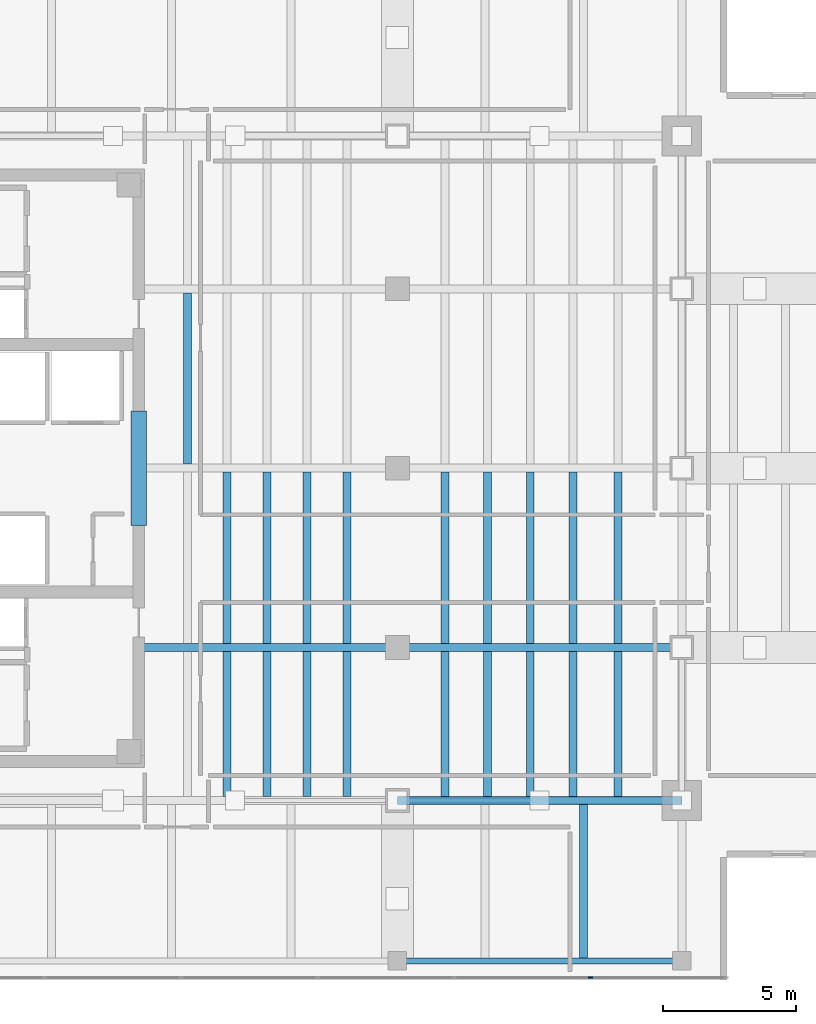
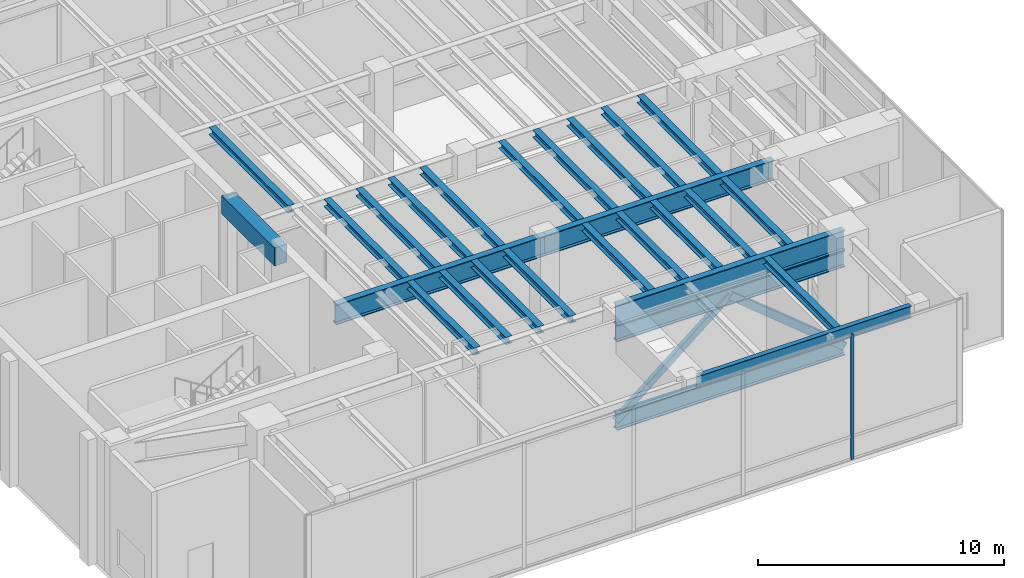
# One storey, part 3 of 11: 25 beams, 5 members, 1 element without a shape of its own.
"""IFC4 building model written with IfcOpenShell, lengths in metres."""

from ifc_helpers import new_model, si_unit, direction, frame, origin, origin_2d, place, context, subcontext, project, spatial, rectangle, hollow_rectangle, i_section, extrude, material, layer, layer_set, material_profile, profile_set, type_object, element, aggregate, save


model = new_model("IFC4")

# Units and contexts
model_context = context("Model", 3, precision=1e-05, world=origin(), true_north=direction((0.0, 1.0)))
body_context = subcontext(model_context, "Body", "Model", "MODEL_VIEW")
ifc_project = project(units=[si_unit("LENGTHUNIT", "METRE"), si_unit("AREAUNIT", "SQUARE_METRE"), si_unit("VOLUMEUNIT", "CUBIC_METRE"), si_unit("PLANEANGLEUNIT", "RADIAN"), si_unit("MASSUNIT", "GRAM", prefix="KILO")], contexts=[model_context])

# Site, building, storey
site_placement = place(None, origin())
site = spatial("IfcSite", under=ifc_project, at=site_placement, CompositionType="ELEMENT")
building_placement = place(site_placement, origin())
building = spatial("IfcBuilding", under=site, at=building_placement, Name="Kinhvarn Gate Tower", CompositionType="ELEMENT")
storey_placement = place(building_placement, frame((0.0, 0.0, 296.64990234375)))
storey = spatial("IfcBuildingStorey", under=building, at=storey_placement, Name="L79", CompositionType="ELEMENT", Elevation=296.64990234375)

# Beams
ifc_material_1 = material(Name="Concrete C60/75", Category="concrete")
ifc_material_profile_1 = material_profile(ifc_material_1, rectangle(XDim=0.60009765625, YDim=0.89990234375, at=origin_2d()), Name="RC 600x900")
ifc_profile_set_1 = profile_set([ifc_material_profile_1], Name="Concrete C60/75")
beam_type_1 = type_object("IfcBeamType", Name="BM-CB-900", PredefinedType="LINTEL", material=ifc_profile_set_1)
beam_1_placement = place(storey_placement, frame((17.77490234375, 23.10009765625, 5.75), z_axis=(0.0, 1.0, 0.0), x_axis=(-1.0, 0.0, 0.0)))
element("IfcBeam", 1, at=beam_1_placement, inside=storey, type_object=beam_type_1, Name="Core East Portal Coupling Beam L79", PredefinedType="LINTEL", context=body_context, shape_type="SweptSolid", body=[
    extrude(rectangle(XDim=0.60009765625, YDim=0.89990234375, at=origin_2d()), origin(), (0.0, 0.0, 1.0), 4.2998046875),
])
ifc_material_2 = material(Name="Steel S355", Category="steel")
ifc_material_profile_2 = material_profile(ifc_material_2, i_section(OverallWidth=0.300048828125, OverallDepth=1.0, WebThickness=0.01904296875, FlangeThickness=0.035888671875, at=origin_2d()), Name="HEB 1000")
ifc_profile_set_2 = profile_set([ifc_material_profile_2], Name="Steel S355")
beam_type_2 = type_object("IfcBeamType", Name="BM-HEB1000", PredefinedType="BEAM", material=ifc_profile_set_2)
beam_2_placement = place(storey_placement, frame((27.5, 12.75, 5.7001953125), z_axis=(1.0, 0.0, 0.0), x_axis=(0.0, 1.0, 0.0)))
element("IfcBeam", 2, at=beam_2_placement, inside=storey, type_object=beam_type_2, Name="Floor Beam HG-21 (L79 MG-S2)", PredefinedType="BEAM", context=body_context, shape_type="SweptSolid", body=[
    extrude(i_section(OverallWidth=0.300048828125, OverallDepth=1.0, WebThickness=0.01904296875, FlangeThickness=0.035888671875, at=origin_2d()), origin(), (0.0, 0.0, 1.0), 10.699951171875),
])
beam_3_placement = place(storey_placement, frame((17.64990234375, 18.5, 5.7001953125), z_axis=(1.0, 0.0, 0.0), x_axis=(0.0, 1.0, 0.0)))
element("IfcBeam", 3, at=beam_3_placement, inside=storey, type_object=beam_type_2, Name="Floor Beam HG-21 (L79 EW1A-Y18)", PredefinedType="BEAM", context=body_context, shape_type="SweptSolid", body=[
    extrude(i_section(OverallWidth=0.300048828125, OverallDepth=1.0, WebThickness=0.01904296875, FlangeThickness=0.035888671875, at=origin_2d()), origin(), (0.0, 0.0, 1.0), 9.85009765625),
])
beam_4_placement = place(storey_placement, frame((27.5, 18.5, 5.7001953125), z_axis=(1.0, 0.0, 0.0), x_axis=(0.0, 1.0, 0.0)))
element("IfcBeam", 4, at=beam_4_placement, inside=storey, type_object=beam_type_2, Name="Floor Beam HG-21 (L79 EW1B-Y18)", PredefinedType="BEAM", context=body_context, shape_type="SweptSolid", body=[
    extrude(i_section(OverallWidth=0.300048828125, OverallDepth=1.0, WebThickness=0.01904296875, FlangeThickness=0.035888671875, at=origin_2d()), origin(), (0.0, 0.0, 1.0), 10.699951171875),
])

# Curtain wall, member
ifc_material_3 = material(Name="Anodised aluminium AW-6063", Category="aluminium")
ifc_layer = layer(ifc_material_3, 0.199951171875)
ifc_layer_set = layer_set([ifc_layer], Name="Anodised aluminium AW-6063")
curtain_wall_type = type_object("IfcCurtainWallType", Name="CW-SYS-6", PredefinedType="NOTDEFINED", material=ifc_layer_set)
curtain_wall_placement = place(storey_placement, origin())
curtain_wall = element("IfcCurtainWall", 5, at=curtain_wall_placement, inside=storey, type_object=curtain_wall_type, Name="Curtain Wall CW6 (L79)", PredefinedType="NOTDEFINED")
ifc_material_profile_3 = material_profile(ifc_material_3, rectangle(XDim=0.06494140625, YDim=0.159912109375, at=origin_2d()), Name="ALU 65x160")
ifc_profile_set_3 = profile_set([ifc_material_profile_3], Name="Anodised aluminium AW-6063")
member_type_1 = type_object("IfcMemberType", Name="CW-MUL-160", PredefinedType="MULLION", material=ifc_profile_set_3)
member_1_placement = place(storey_placement, frame((34.7666015625, 6.090087890625, 0.0), z_axis=(0.0, 0.0, 1.0), x_axis=(0.0, 1.0, 0.0)))
member_1 = element("IfcMember", 6, at=member_1_placement, type_object=member_type_1, Name="CW6 mullion 6", PredefinedType="MULLION", context=body_context, shape_type="SweptSolid", body=[
    extrude(rectangle(XDim=0.06494140625, YDim=0.159912109375, at=origin_2d()), origin(), (0.0, 0.0, 1.0), 6.2001953125),
])
aggregate(curtain_wall, [member_1])

# Members
ifc_material_profile_4 = material_profile(ifc_material_2, hollow_rectangle(XDim=0.199951171875, YDim=0.300048828125, WallThickness=0.011962890625, at=origin_2d()), Name="RHS 300x200x12")
ifc_profile_set_4 = profile_set([ifc_material_profile_4], Name="Steel S355")
member_type_2 = type_object("IfcMemberType", Name="MBR-RHS300x200x12", PredefinedType="BRACE", material=ifc_profile_set_4)
member_2_placement = place(storey_placement, frame((27.5, 12.75, 0.406982421875), z_axis=(0.773328000668, 0.0, 0.634006154057), x_axis=(0.0, 1.0, 0.0)))
element("IfcMember", 7, at=member_2_placement, inside=storey, type_object=member_type_2, Name="Outrigger Truss Diagonal BR-02 (RHS 300x200x12)", PredefinedType="BRACE", context=body_context, shape_type="SweptSolid", body=[
    extrude(hollow_rectangle(XDim=0.199951171875, YDim=0.300048828125, WallThickness=0.011962890625, at=origin_2d()), origin(), (0.0, 0.0, 1.0), 6.918212890625),
])
ifc_material_profile_5 = material_profile(ifc_material_2, hollow_rectangle(XDim=0.25, YDim=0.35009765625, WallThickness=0.01611328125, at=origin_2d()), Name="RHS 350x250x16")
ifc_profile_set_5 = profile_set([ifc_material_profile_5], Name="Steel S355")
member_type_3 = type_object("IfcMemberType", Name="MBR-RHS350x250x16", PredefinedType="BRACE", material=ifc_profile_set_5)
member_3_placement = place(storey_placement, frame((32.85009765625, 12.75, 4.793212890625), z_axis=(0.773313815098, 0.0, -0.634023456489), x_axis=(0.0, 1.0, 0.0)))
element("IfcMember", 8, at=member_3_placement, inside=storey, type_object=member_type_3, Name="Outrigger Truss Diagonal BR-03 (RHS 350x250x16)", PredefinedType="BRACE", context=body_context, shape_type="SweptSolid", body=[
    extrude(hollow_rectangle(XDim=0.25, YDim=0.35009765625, WallThickness=0.01611328125, at=origin_2d()), origin(), (0.0, 0.0, 1.0), 6.91796875),
])

# Beams
ifc_material_profile_6 = material_profile(ifc_material_2, i_section(OverallWidth=0.300048828125, OverallDepth=0.360107421875, WebThickness=0.012451171875, FlangeThickness=0.0224609375, at=origin_2d()), Name="HEB 360")
ifc_profile_set_6 = profile_set([ifc_material_profile_6], Name="Steel S355")
beam_type_3 = type_object("IfcBeamType", Name="STL-HEB360", PredefinedType="BEAM", material=ifc_profile_set_6)
beam_5_placement = place(storey_placement, frame((19.60009765625, 25.39990234375, 6.02001953125), z_axis=(0.0, 1.0, 0.0), x_axis=(-1.0, 0.0, 0.0)))
element("IfcBeam", 9, at=beam_5_placement, inside=storey, type_object=beam_type_3, Name="Floor Beam PG-11 (L79 JC-X196-2)", PredefinedType="BEAM", context=body_context, shape_type="SweptSolid", body=[
    extrude(i_section(OverallWidth=0.300048828125, OverallDepth=0.360107421875, WebThickness=0.012451171875, FlangeThickness=0.0224609375, at=origin_2d()), origin(), (0.0, 0.0, 1.0), 6.4501953125),
])
beam_6_placement = place(storey_placement, frame((21.10009765625, 12.89990234375, 6.02001953125), z_axis=(0.0, 1.0, 0.0), x_axis=(-1.0, 0.0, 0.0)))
element("IfcBeam", 10, at=beam_6_placement, inside=storey, type_object=beam_type_3, Name="Floor Beam PG-11 (L79 JC-X211-0)", PredefinedType="BEAM", context=body_context, shape_type="SweptSolid", body=[
    extrude(i_section(OverallWidth=0.300048828125, OverallDepth=0.360107421875, WebThickness=0.012451171875, FlangeThickness=0.0224609375, at=origin_2d()), origin(), (0.0, 0.0, 1.0), 5.4501953125),
])
beam_7_placement = place(storey_placement, frame((21.10009765625, 18.64990234375, 6.02001953125), z_axis=(0.0, 1.0, 0.0), x_axis=(-1.0, 0.0, 0.0)))
element("IfcBeam", 11, at=beam_7_placement, inside=storey, type_object=beam_type_3, Name="Floor Beam PG-11 (L79 JC-X211-1)", PredefinedType="BEAM", context=body_context, shape_type="SweptSolid", body=[
    extrude(i_section(OverallWidth=0.300048828125, OverallDepth=0.360107421875, WebThickness=0.012451171875, FlangeThickness=0.0224609375, at=origin_2d()), origin(), (0.0, 0.0, 1.0), 6.4501953125),
])
beam_8_placement = place(storey_placement, frame((22.60009765625, 12.89990234375, 6.02001953125), z_axis=(0.0, 1.0, 0.0), x_axis=(-1.0, 0.0, 0.0)))
element("IfcBeam", 12, at=beam_8_placement, inside=storey, type_object=beam_type_3, Name="Floor Beam PG-11 (L79 JC-X226-0)", PredefinedType="BEAM", context=body_context, shape_type="SweptSolid", body=[
    extrude(i_section(OverallWidth=0.300048828125, OverallDepth=0.360107421875, WebThickness=0.012451171875, FlangeThickness=0.0224609375, at=origin_2d()), origin(), (0.0, 0.0, 1.0), 5.4501953125),
])
beam_9_placement = place(storey_placement, frame((22.60009765625, 18.64990234375, 6.02001953125), z_axis=(0.0, 1.0, 0.0), x_axis=(-1.0, 0.0, 0.0)))
element("IfcBeam", 13, at=beam_9_placement, inside=storey, type_object=beam_type_3, Name="Floor Beam PG-11 (L79 JC-X226-1)", PredefinedType="BEAM", context=body_context, shape_type="SweptSolid", body=[
    extrude(i_section(OverallWidth=0.300048828125, OverallDepth=0.360107421875, WebThickness=0.012451171875, FlangeThickness=0.0224609375, at=origin_2d()), origin(), (0.0, 0.0, 1.0), 6.4501953125),
])
beam_10_placement = place(storey_placement, frame((24.10009765625, 12.89990234375, 6.02001953125), z_axis=(0.0, 1.0, 0.0), x_axis=(-1.0, 0.0, 0.0)))
element("IfcBeam", 14, at=beam_10_placement, inside=storey, type_object=beam_type_3, Name="Floor Beam PG-11 (L79 JC-X241-0)", PredefinedType="BEAM", context=body_context, shape_type="SweptSolid", body=[
    extrude(i_section(OverallWidth=0.300048828125, OverallDepth=0.360107421875, WebThickness=0.012451171875, FlangeThickness=0.0224609375, at=origin_2d()), origin(), (0.0, 0.0, 1.0), 5.4501953125),
])
beam_11_placement = place(storey_placement, frame((24.10009765625, 18.64990234375, 6.02001953125), z_axis=(0.0, 1.0, 0.0), x_axis=(-1.0, 0.0, 0.0)))
element("IfcBeam", 15, at=beam_11_placement, inside=storey, type_object=beam_type_3, Name="Floor Beam PG-11 (L79 JC-X241-1)", PredefinedType="BEAM", context=body_context, shape_type="SweptSolid", body=[
    extrude(i_section(OverallWidth=0.300048828125, OverallDepth=0.360107421875, WebThickness=0.012451171875, FlangeThickness=0.0224609375, at=origin_2d()), origin(), (0.0, 0.0, 1.0), 6.4501953125),
])
beam_12_placement = place(storey_placement, frame((25.60009765625, 12.89990234375, 6.02001953125), z_axis=(0.0, 1.0, 0.0), x_axis=(-1.0, 0.0, 0.0)))
element("IfcBeam", 16, at=beam_12_placement, inside=storey, type_object=beam_type_3, Name="Floor Beam PG-11 (L79 JC-X256-0)", PredefinedType="BEAM", context=body_context, shape_type="SweptSolid", body=[
    extrude(i_section(OverallWidth=0.300048828125, OverallDepth=0.360107421875, WebThickness=0.012451171875, FlangeThickness=0.0224609375, at=origin_2d()), origin(), (0.0, 0.0, 1.0), 5.4501953125),
])
beam_13_placement = place(storey_placement, frame((25.60009765625, 18.64990234375, 6.02001953125), z_axis=(0.0, 1.0, 0.0), x_axis=(-1.0, 0.0, 0.0)))
element("IfcBeam", 17, at=beam_13_placement, inside=storey, type_object=beam_type_3, Name="Floor Beam PG-11 (L79 JC-X256-1)", PredefinedType="BEAM", context=body_context, shape_type="SweptSolid", body=[
    extrude(i_section(OverallWidth=0.300048828125, OverallDepth=0.360107421875, WebThickness=0.012451171875, FlangeThickness=0.0224609375, at=origin_2d()), origin(), (0.0, 0.0, 1.0), 6.4501953125),
])
beam_14_placement = place(storey_placement, frame((29.300048828125, 12.89990234375, 6.02001953125), z_axis=(0.0, 1.0, 0.0), x_axis=(-1.0, 0.0, 0.0)))
element("IfcBeam", 18, at=beam_14_placement, inside=storey, type_object=beam_type_3, Name="Floor Beam PG-11 (L79 JC-X293-0)", PredefinedType="BEAM", context=body_context, shape_type="SweptSolid", body=[
    extrude(i_section(OverallWidth=0.300048828125, OverallDepth=0.360107421875, WebThickness=0.012451171875, FlangeThickness=0.0224609375, at=origin_2d()), origin(), (0.0, 0.0, 1.0), 5.4501953125),
])
beam_15_placement = place(storey_placement, frame((29.300048828125, 18.64990234375, 6.02001953125), z_axis=(0.0, 1.0, 0.0), x_axis=(-1.0, 0.0, 0.0)))
element("IfcBeam", 19, at=beam_15_placement, inside=storey, type_object=beam_type_3, Name="Floor Beam PG-11 (L79 JC-X293-1)", PredefinedType="BEAM", context=body_context, shape_type="SweptSolid", body=[
    extrude(i_section(OverallWidth=0.300048828125, OverallDepth=0.360107421875, WebThickness=0.012451171875, FlangeThickness=0.0224609375, at=origin_2d()), origin(), (0.0, 0.0, 1.0), 6.4501953125),
])
beam_16_placement = place(storey_placement, frame((30.89990234375, 12.89990234375, 6.02001953125), z_axis=(0.0, 1.0, 0.0), x_axis=(-1.0, 0.0, 0.0)))
element("IfcBeam", 20, at=beam_16_placement, inside=storey, type_object=beam_type_3, Name="Floor Beam PG-11 (L79 JC-X309-0)", PredefinedType="BEAM", context=body_context, shape_type="SweptSolid", body=[
    extrude(i_section(OverallWidth=0.300048828125, OverallDepth=0.360107421875, WebThickness=0.012451171875, FlangeThickness=0.0224609375, at=origin_2d()), origin(), (0.0, 0.0, 1.0), 5.4501953125),
])
beam_17_placement = place(storey_placement, frame((30.89990234375, 18.64990234375, 6.02001953125), z_axis=(0.0, 1.0, 0.0), x_axis=(-1.0, 0.0, 0.0)))
element("IfcBeam", 21, at=beam_17_placement, inside=storey, type_object=beam_type_3, Name="Floor Beam PG-11 (L79 JC-X309-1)", PredefinedType="BEAM", context=body_context, shape_type="SweptSolid", body=[
    extrude(i_section(OverallWidth=0.300048828125, OverallDepth=0.360107421875, WebThickness=0.012451171875, FlangeThickness=0.0224609375, at=origin_2d()), origin(), (0.0, 0.0, 1.0), 6.4501953125),
])
beam_18_placement = place(storey_placement, frame((32.5, 12.89990234375, 6.02001953125), z_axis=(0.0, 1.0, 0.0), x_axis=(-1.0, 0.0, 0.0)))
element("IfcBeam", 22, at=beam_18_placement, inside=storey, type_object=beam_type_3, Name="Floor Beam PG-11 (L79 JC-X325-0)", PredefinedType="BEAM", context=body_context, shape_type="SweptSolid", body=[
    extrude(i_section(OverallWidth=0.300048828125, OverallDepth=0.360107421875, WebThickness=0.012451171875, FlangeThickness=0.0224609375, at=origin_2d()), origin(), (0.0, 0.0, 1.0), 5.4501953125),
])
beam_19_placement = place(storey_placement, frame((32.5, 18.64990234375, 6.02001953125), z_axis=(0.0, 1.0, 0.0), x_axis=(-1.0, 0.0, 0.0)))
element("IfcBeam", 23, at=beam_19_placement, inside=storey, type_object=beam_type_3, Name="Floor Beam PG-11 (L79 JC-X325-1)", PredefinedType="BEAM", context=body_context, shape_type="SweptSolid", body=[
    extrude(i_section(OverallWidth=0.300048828125, OverallDepth=0.360107421875, WebThickness=0.012451171875, FlangeThickness=0.0224609375, at=origin_2d()), origin(), (0.0, 0.0, 1.0), 6.4501953125),
])
beam_20_placement = place(storey_placement, frame((34.10009765625, 12.89990234375, 6.02001953125), z_axis=(0.0, 1.0, 0.0), x_axis=(-1.0, 0.0, 0.0)))
element("IfcBeam", 24, at=beam_20_placement, inside=storey, type_object=beam_type_3, Name="Floor Beam PG-11 (L79 JC-X341-0)", PredefinedType="BEAM", context=body_context, shape_type="SweptSolid", body=[
    extrude(i_section(OverallWidth=0.300048828125, OverallDepth=0.360107421875, WebThickness=0.012451171875, FlangeThickness=0.0224609375, at=origin_2d()), origin(), (0.0, 0.0, 1.0), 5.4501953125),
])
beam_21_placement = place(storey_placement, frame((34.10009765625, 18.64990234375, 6.02001953125), z_axis=(0.0, 1.0, 0.0), x_axis=(-1.0, 0.0, 0.0)))
element("IfcBeam", 25, at=beam_21_placement, inside=storey, type_object=beam_type_3, Name="Floor Beam PG-11 (L79 JC-X341-1)", PredefinedType="BEAM", context=body_context, shape_type="SweptSolid", body=[
    extrude(i_section(OverallWidth=0.300048828125, OverallDepth=0.360107421875, WebThickness=0.012451171875, FlangeThickness=0.0224609375, at=origin_2d()), origin(), (0.0, 0.0, 1.0), 6.4501953125),
])
beam_22_placement = place(storey_placement, frame((35.800048828125, 12.89990234375, 6.02001953125), z_axis=(0.0, 1.0, 0.0), x_axis=(-1.0, 0.0, 0.0)))
element("IfcBeam", 26, at=beam_22_placement, inside=storey, type_object=beam_type_3, Name="Floor Beam PG-11 (L79 JC-X358-0)", PredefinedType="BEAM", context=body_context, shape_type="SweptSolid", body=[
    extrude(i_section(OverallWidth=0.300048828125, OverallDepth=0.360107421875, WebThickness=0.012451171875, FlangeThickness=0.0224609375, at=origin_2d()), origin(), (0.0, 0.0, 1.0), 5.4501953125),
])
beam_23_placement = place(storey_placement, frame((35.800048828125, 18.64990234375, 6.02001953125), z_axis=(0.0, 1.0, 0.0), x_axis=(-1.0, 0.0, 0.0)))
element("IfcBeam", 27, at=beam_23_placement, inside=storey, type_object=beam_type_3, Name="Floor Beam PG-11 (L79 JC-X358-1)", PredefinedType="BEAM", context=body_context, shape_type="SweptSolid", body=[
    extrude(i_section(OverallWidth=0.300048828125, OverallDepth=0.360107421875, WebThickness=0.012451171875, FlangeThickness=0.0224609375, at=origin_2d()), origin(), (0.0, 0.0, 1.0), 6.4501953125),
])
beam_24_placement = place(storey_placement, frame((34.5, 6.830078125, 6.02001953125), z_axis=(0.0, 1.0, 0.0), x_axis=(-1.0, 0.0, 0.0)))
element("IfcBeam", 28, at=beam_24_placement, inside=storey, type_object=beam_type_3, Name="Floor Beam PG-11 (L79 JS-X345)", PredefinedType="BEAM", context=body_context, shape_type="SweptSolid", body=[
    extrude(i_section(OverallWidth=0.300048828125, OverallDepth=0.360107421875, WebThickness=0.012451171875, FlangeThickness=0.0224609375, at=origin_2d()), origin(), (0.0, 0.0, 1.0), 5.77001953125),
])

# Members
ifc_material_profile_7 = material_profile(ifc_material_2, i_section(OverallWidth=0.302978515625, OverallDepth=0.81396484375, WebThickness=0.02099609375, FlangeThickness=0.0400390625, at=origin_2d()), Name="HEM 800")
ifc_profile_set_7 = profile_set([ifc_material_profile_7], Name="Steel S355")
member_type_4 = type_object("IfcMemberType", Name="STL-HEM800", PredefinedType="CHORD", material=ifc_profile_set_7)
for number, where, z_axis, x_axis, name in (
    (29, (27.5, 12.75, 0.406982421875), (1.0, 0.0, 0.0), (0.0, 1.0, 0.0), "Outrigger Belt Chord BC-22 (L79 OUT-S2-BOT)"),
    (30, (27.5, 12.75, 4.793212890625), (1.0, 0.0, 0.0), (0.0, 1.0, 0.0), "Outrigger Belt Chord BC-22 (L79 OUT-S2-TOP)"),
):
    element("IfcMember", number, at=place(storey_placement, frame(where, z_axis=z_axis, x_axis=x_axis)), inside=storey, type_object=member_type_4, Name=name, PredefinedType="CHORD", context=body_context, shape_type="SweptSolid", body=[
        extrude(i_section(OverallWidth=0.302978515625, OverallDepth=0.81396484375, WebThickness=0.02099609375, FlangeThickness=0.0400390625, at=origin_2d()), origin(), (0.0, 0.0, 1.0), 10.699951171875),
    ])

# Beam
ifc_material_profile_8 = material_profile(ifc_material_2, i_section(OverallWidth=0.219970703125, OverallDepth=0.60009765625, WebThickness=0.011962890625, FlangeThickness=0.01904296875, at=origin_2d()), Name="IPE 600")
ifc_profile_set_8 = profile_set([ifc_material_profile_8], Name="Steel S355")
beam_type_4 = type_object("IfcBeamType", Name="STL-IPE600", PredefinedType="SPANDREL", material=ifc_profile_set_8)
beam_25_placement = place(storey_placement, frame((27.8349609375, 6.719970703125, 5.900146484375), z_axis=(1.0, 0.0, 0.0), x_axis=(0.0, 1.0, 0.0)))
element("IfcBeam", 31, at=beam_25_placement, inside=storey, type_object=beam_type_4, Name="Floor Spandrel SB-09 (L79 SP-S2)", PredefinedType="SPANDREL", context=body_context, shape_type="SweptSolid", body=[
    extrude(i_section(OverallWidth=0.219970703125, OverallDepth=0.60009765625, WebThickness=0.011962890625, FlangeThickness=0.01904296875, at=origin_2d()), origin(), (0.0, 0.0, 1.0), 10.030029296875),
])

save(model, "model.ifc")
